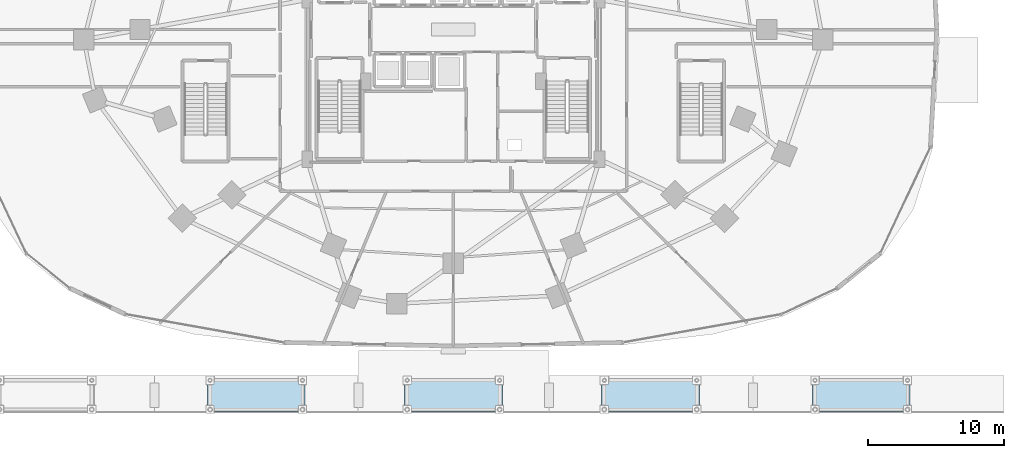
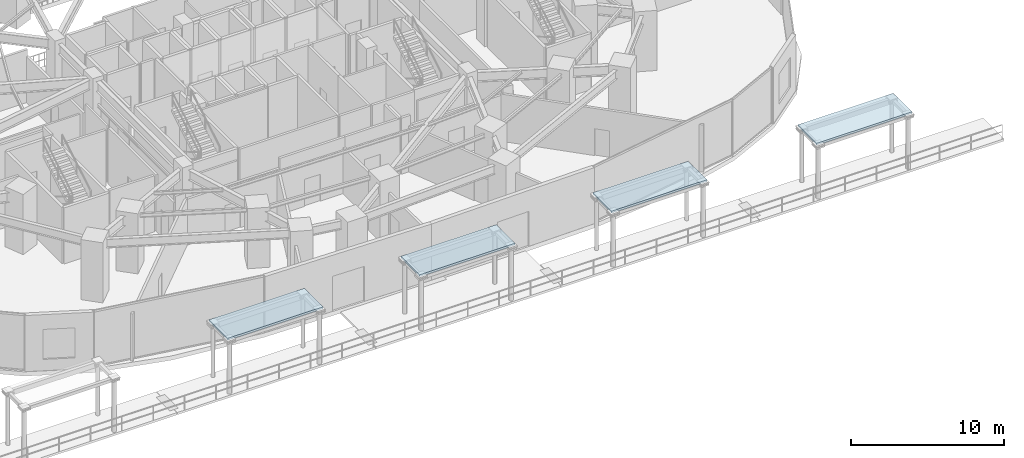
# One storey, part 31 of 36: 4 roofs.
"""IFC4 building model written with IfcOpenShell, lengths in metres."""

from ifc_helpers import new_model, si_unit, direction, frame, origin, place, context, subcontext, project, spatial, polyline, outline, extrude, material, layer, layer_set, type_object, element, save


model = new_model("IFC4")

# Units and contexts
model_context = context("Model", 3, precision=1e-05, world=origin(), true_north=direction((0.0, 1.0)))
body_context = subcontext(model_context, "Body", "Model", "MODEL_VIEW")
ifc_project = project(units=[si_unit("LENGTHUNIT", "METRE"), si_unit("AREAUNIT", "SQUARE_METRE"), si_unit("VOLUMEUNIT", "CUBIC_METRE"), si_unit("PLANEANGLEUNIT", "RADIAN"), si_unit("MASSUNIT", "GRAM", prefix="KILO")], contexts=[model_context])

# Site, building, storey
site_placement = place(None, origin())
site = spatial("IfcSite", under=ifc_project, at=site_placement, CompositionType="ELEMENT")
building_placement = place(site_placement, origin())
building = spatial("IfcBuilding", under=site, at=building_placement, Name="Vorneva Point Tower", CompositionType="ELEMENT")
storey_placement = place(building_placement, origin())
storey = spatial("IfcBuildingStorey", under=building, at=storey_placement, Name="L00", CompositionType="ELEMENT", Elevation=0.0)

# Roofs
ifc_material = material(Name="Ballasted EPDM insulated roof build-up", Category="bitumen")
ifc_layer = layer(ifc_material, 0.159912109375)
ifc_layer_set = layer_set([ifc_layer], Name="Ballasted EPDM insulated roof build-up")
roof_type = type_object("IfcRoofType", Name="RFG-MEM-160", PredefinedType="FLAT_ROOF", material=ifc_layer_set)
roof_1_placement = place(storey_placement, frame((0.0, 0.0, 4.35009765625)))
element("IfcRoof", 1, at=roof_1_placement, inside=storey, type_object=roof_type, Name="Waterfront Promenade Entrance Canopy Roof 02", PredefinedType="FLAT_ROOF", context=body_context, shape_type="SweptSolid", body=[
    extrude(outline(polyline([(19.89990234375, -2.10009765625), (27.10009765625, -2.10009765625), (27.10009765625, 0.35009765625), (19.89990234375, 0.35009765625), (19.89990234375, -2.10009765625)])), origin(), (0.0, 0.0, 1.0), 0.159912109375),
])
roof_2_placement = place(storey_placement, frame((0.0, 0.0, 4.35009765625)))
element("IfcRoof", 2, at=roof_2_placement, inside=storey, type_object=roof_type, Name="Waterfront Promenade Entrance Canopy Roof 03", PredefinedType="FLAT_ROOF", context=body_context, shape_type="SweptSolid", body=[
    extrude(outline(polyline([(34.39990234375, -2.10009765625), (41.60009765625, -2.10009765625), (41.60009765625, 0.35009765625), (34.39990234375, 0.35009765625), (34.39990234375, -2.10009765625)])), origin(), (0.0, 0.0, 1.0), 0.159912109375),
])
roof_3_placement = place(storey_placement, frame((0.0, 0.0, 4.35009765625)))
element("IfcRoof", 3, at=roof_3_placement, inside=storey, type_object=roof_type, Name="Waterfront Promenade Entrance Canopy Roof 04", PredefinedType="FLAT_ROOF", context=body_context, shape_type="SweptSolid", body=[
    extrude(outline(polyline([(48.89990234375, -2.10009765625), (56.10009765625, -2.10009765625), (56.10009765625, 0.35009765625), (48.89990234375, 0.35009765625), (48.89990234375, -2.10009765625)])), origin(), (0.0, 0.0, 1.0), 0.159912109375),
])
roof_4_placement = place(storey_placement, frame((0.0, 0.0, 4.35009765625)))
element("IfcRoof", 4, at=roof_4_placement, inside=storey, type_object=roof_type, Name="Waterfront Promenade Entrance Canopy Roof 05", PredefinedType="FLAT_ROOF", context=body_context, shape_type="SweptSolid", body=[
    extrude(outline(polyline([(64.39990234375, -2.10009765625), (71.60009765625, -2.10009765625), (71.60009765625, 0.35009765625), (64.39990234375, 0.35009765625), (64.39990234375, -2.10009765625)])), origin(), (0.0, 0.0, 1.0), 0.159912109375),
])

save(model, "model.ifc")
